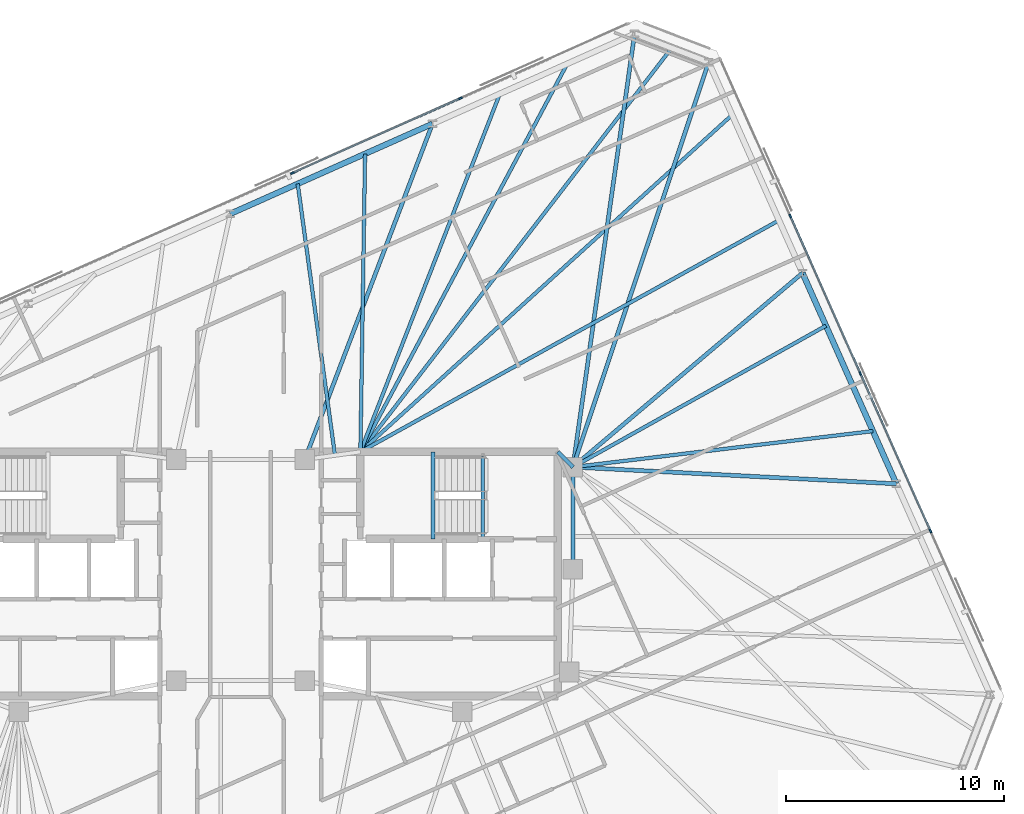
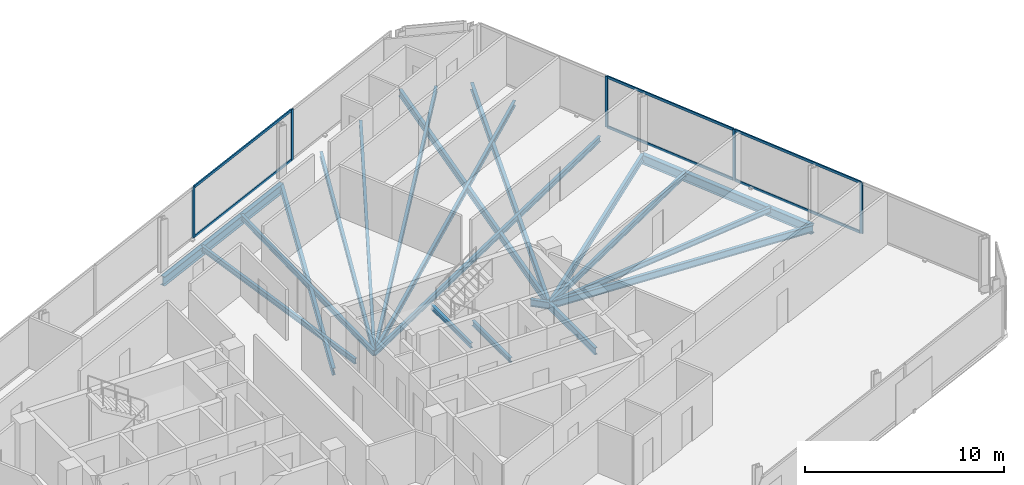
# One storey, part 10 of 18: 20 beams, 11 members, 2 elements without a shape of their own.
"""IFC4 building model written with IfcOpenShell, lengths in metres."""

from ifc_helpers import new_model, si_unit, direction, frame, origin, origin_2d, place, context, subcontext, project, spatial, rectangle, i_section, extrude, material, material_profile, profile_set, type_object, element, aggregate, save


model = new_model("IFC4")

# Units and contexts
model_context = context("Model", 3, precision=1e-05, world=origin(), true_north=direction((0.0, 1.0)))
body_context = subcontext(model_context, "Body", "Model", "MODEL_VIEW")
ifc_project = project(units=[si_unit("LENGTHUNIT", "METRE"), si_unit("AREAUNIT", "SQUARE_METRE"), si_unit("VOLUMEUNIT", "CUBIC_METRE"), si_unit("PLANEANGLEUNIT", "RADIAN"), si_unit("MASSUNIT", "GRAM", prefix="KILO")], contexts=[model_context])

# Site, building, storey
site_placement = place(None, origin())
site = spatial("IfcSite", under=ifc_project, at=site_placement, CompositionType="ELEMENT")
building_placement = place(site_placement, origin())
building = spatial("IfcBuilding", under=site, at=building_placement, Name="Menara Jurai Vektor", CompositionType="ELEMENT")
storey_placement = place(building_placement, frame((0.0, 0.0, 285.25)))
storey = spatial("IfcBuildingStorey", under=building, at=storey_placement, Name="L76", CompositionType="ELEMENT", Elevation=285.25)

# Curtain wall, members
ifc_material_1 = material(Name="Anodised Pale Aluminium & Low-E Double Glazing", Category="aluminium")
curtain_wall_type = type_object("IfcCurtainWallType", Name="CW-BLK5", PredefinedType="NOTDEFINED", material=ifc_material_1)
curtain_wall_1_placement = place(storey_placement, origin())
curtain_wall_1 = element("IfcCurtainWall", 1, at=curtain_wall_1_placement, inside=storey, type_object=curtain_wall_type, Name="Unitised Curtain Wall L76 F03", PredefinedType="NOTDEFINED")
ifc_material_2 = material(Name="Anodised Pale Aluminium Mullion", Category="aluminium")
ifc_material_profile_1 = material_profile(ifc_material_2, rectangle(XDim=0.074951171875, YDim=0.175048828125, at=origin_2d()), Name="ALU MUL 75x175")
ifc_profile_set_1 = profile_set([ifc_material_profile_1], Name="Anodised Pale Aluminium Mullion")
member_type_1 = type_object("IfcMemberType", Name="CW-BLK5-MUL", PredefinedType="MULLION", material=ifc_profile_set_1)
member_1_placement = place(storey_placement, frame((31.6533203125, 1.9658203125, 0.0), z_axis=(0.0, 0.0, 1.0), x_axis=(-0.913546127706, -0.406735138086, 0.0)))
member_1 = element("IfcMember", 2, at=member_1_placement, type_object=member_type_1, Name="CW-05 mullion 2", PredefinedType="MULLION", context=body_context, shape_type="SweptSolid", body=[
    extrude(rectangle(XDim=0.074951171875, YDim=0.175048828125, at=origin_2d()), origin(), (0.0, 0.0, 1.0), 3.125),
])
member_2_placement = place(storey_placement, frame((28.43603515625, 9.19189453125, 0.0), z_axis=(0.0, 0.0, 1.0), x_axis=(-0.913546127706, -0.406735138086, 0.0)))
member_2 = element("IfcMember", 3, at=member_2_placement, type_object=member_type_1, Name="CW-05 mullion 3", PredefinedType="MULLION", context=body_context, shape_type="SweptSolid", body=[
    extrude(rectangle(XDim=0.074951171875, YDim=0.175048828125, at=origin_2d()), origin(), (0.0, 0.0, 1.0), 3.125),
])
member_3_placement = place(storey_placement, frame((25.21875, 16.418212890625, 0.0), z_axis=(0.0, 0.0, 1.0), x_axis=(-0.913546127706, -0.406735138086, 0.0)))
member_3 = element("IfcMember", 4, at=member_3_placement, type_object=member_type_1, Name="CW-05 mullion 4", PredefinedType="MULLION", context=body_context, shape_type="SweptSolid", body=[
    extrude(rectangle(XDim=0.074951171875, YDim=0.175048828125, at=origin_2d()), origin(), (0.0, 0.0, 1.0), 3.125),
])

curtain_wall_2_placement = place(storey_placement, origin())
curtain_wall_2 = element("IfcCurtainWall", 5, at=curtain_wall_2_placement, inside=storey, type_object=curtain_wall_type, Name="Unitised Curtain Wall L76 F05", PredefinedType="NOTDEFINED")
member_4_placement = place(storey_placement, frame((10.0927734375, 21.822998046875, 0.0), z_axis=(0.0, 0.0, 1.0), x_axis=(0.406735498684, -0.913545967158, 0.0)))
member_4 = element("IfcMember", 6, at=member_4_placement, type_object=member_type_1, Name="CW-05 mullion 2", PredefinedType="MULLION", context=body_context, shape_type="SweptSolid", body=[
    extrude(rectangle(XDim=0.074951171875, YDim=0.175048828125, at=origin_2d()), origin(), (0.0, 0.0, 1.0), 3.125),
])
member_5_placement = place(storey_placement, frame((2.38232421875, 18.39013671875, 0.0), z_axis=(0.0, 0.0, 1.0), x_axis=(0.406735498684, -0.913545967158, 0.0)))
member_5 = element("IfcMember", 7, at=member_5_placement, type_object=member_type_1, Name="CW-05 mullion 3", PredefinedType="MULLION", context=body_context, shape_type="SweptSolid", body=[
    extrude(rectangle(XDim=0.074951171875, YDim=0.175048828125, at=origin_2d()), origin(), (0.0, 0.0, 1.0), 3.125),
])

# Member
ifc_material_3 = material(Name="Anodised Pale Aluminium Transom", Category="aluminium")
ifc_material_profile_2 = material_profile(ifc_material_3, rectangle(XDim=0.074951171875, YDim=0.155029296875, at=origin_2d()), Name="ALU TRN 75x155")
ifc_profile_set_2 = profile_set([ifc_material_profile_2], Name="Anodised Pale Aluminium Transom")
member_type_2 = type_object("IfcMemberType", Name="CW-BLK5-TRN", PredefinedType="USERDEFINED", material=ifc_profile_set_2)
member_6_placement = place(storey_placement, frame((31.63818359375, 2.0, 0.03759765625), z_axis=(-0.406731062496, 0.913547942256, 0.0), x_axis=(-0.913547942256, -0.406731062496, 0.0)))
member_6 = element("IfcMember", 8, at=member_6_placement, type_object=member_type_2, Name="CW-05 transom 2.1", ObjectType="TRANSOM", PredefinedType="USERDEFINED", context=body_context, shape_type="SweptSolid", body=[
    extrude(rectangle(XDim=0.074951171875, YDim=0.155029296875, at=origin_2d()), origin(), (0.0, 0.0, 1.0), 7.8349609375),
])

member_7_placement = place(storey_placement, frame((31.63818359375, 2.0, 3.08740234375), z_axis=(-0.406731062496, 0.913547942256, 0.0), x_axis=(-0.913547942256, -0.406731062496, 0.0)))
member_7 = element("IfcMember", 9, at=member_7_placement, type_object=member_type_2, Name="CW-05 transom 2.2", ObjectType="TRANSOM", PredefinedType="USERDEFINED", context=body_context, shape_type="SweptSolid", body=[
    extrude(rectangle(XDim=0.074951171875, YDim=0.155029296875, at=origin_2d()), origin(), (0.0, 0.0, 1.0), 7.8349609375),
])

member_8_placement = place(storey_placement, frame((28.4208984375, 9.226318359375, 0.03759765625), z_axis=(-0.40674264085, 0.913542787238, 0.0), x_axis=(-0.913542787238, -0.40674264085, 0.0)))
member_8 = element("IfcMember", 10, at=member_8_placement, type_object=member_type_2, Name="CW-05 transom 3.1", ObjectType="TRANSOM", PredefinedType="USERDEFINED", context=body_context, shape_type="SweptSolid", body=[
    extrude(rectangle(XDim=0.074951171875, YDim=0.155029296875, at=origin_2d()), origin(), (0.0, 0.0, 1.0), 7.8349609375),
])

member_9_placement = place(storey_placement, frame((28.4208984375, 9.226318359375, 3.08740234375), z_axis=(-0.40674264085, 0.913542787238, 0.0), x_axis=(-0.913542787238, -0.40674264085, 0.0)))
member_9 = element("IfcMember", 11, at=member_9_placement, type_object=member_type_2, Name="CW-05 transom 3.2", ObjectType="TRANSOM", PredefinedType="USERDEFINED", context=body_context, shape_type="SweptSolid", body=[
    extrude(rectangle(XDim=0.074951171875, YDim=0.155029296875, at=origin_2d()), origin(), (0.0, 0.0, 1.0), 7.8349609375),
])

aggregate(curtain_wall_1, [member_1, member_2, member_3, member_6, member_7, member_8, member_9])

member_10_placement = place(storey_placement, frame((10.058349609375, 21.807861328125, 0.03759765625), z_axis=(-0.913546575494, -0.406734132331, 0.0), x_axis=(0.406734132331, -0.913546575494, 0.0)))
member_10 = element("IfcMember", 12, at=member_10_placement, type_object=member_type_2, Name="CW-05 transom 2.1", ObjectType="TRANSOM", PredefinedType="USERDEFINED", context=body_context, shape_type="SweptSolid", body=[
    extrude(rectangle(XDim=0.074951171875, YDim=0.155029296875, at=origin_2d()), origin(), (0.0, 0.0, 1.0), 8.364990234375),
])

member_11_placement = place(storey_placement, frame((10.058349609375, 21.807861328125, 3.08740234375), z_axis=(-0.913546575494, -0.406734132331, 0.0), x_axis=(0.406734132331, -0.913546575494, 0.0)))
member_11 = element("IfcMember", 13, at=member_11_placement, type_object=member_type_2, Name="CW-05 transom 2.2", ObjectType="TRANSOM", PredefinedType="USERDEFINED", context=body_context, shape_type="SweptSolid", body=[
    extrude(rectangle(XDim=0.074951171875, YDim=0.155029296875, at=origin_2d()), origin(), (0.0, 0.0, 1.0), 8.364990234375),
])

aggregate(curtain_wall_2, [member_4, member_5, member_10, member_11])

# Beams
ifc_material_4 = material(Name="Steel S355", Category="steel")
ifc_material_profile_3 = material_profile(ifc_material_4, i_section(OverallWidth=0.18505859375, OverallDepth=0.429931640625, WebThickness=0.010986328125, FlangeThickness=0.01806640625, at=origin_2d()), Name="PG 430x185x76")
ifc_profile_set_3 = profile_set([ifc_material_profile_3], Name="Steel S355")
beam_type_1 = type_object("IfcBeamType", Name="STR-BM-430", PredefinedType="BEAM", material=ifc_profile_set_3)
beam_1_placement = place(storey_placement, frame((14.56005859375, 5.60009765625, -0.43994140625), z_axis=(0.701871936926, -0.712303154672, 0.0), x_axis=(0.712303154672, 0.701871936926, 0.0)))
element("IfcBeam", 14, at=beam_1_placement, inside=storey, type_object=beam_type_1, Name="Core Ring Header Girder L76-CHE-N2", PredefinedType="BEAM", context=body_context, shape_type="SweptSolid", body=[
    extrude(i_section(OverallWidth=0.18505859375, OverallDepth=0.429931640625, WebThickness=0.010986328125, FlangeThickness=0.01806640625, at=origin_2d()), origin(), (0.0, 0.0, 1.0), 0.98291015625),
])
beam_2_placement = place(storey_placement, frame((15.25, 0.219970703125, -0.43994140625), z_axis=(0.0, 1.0, 0.0), x_axis=(-1.0, 0.0, 0.0)))
element("IfcBeam", 15, at=beam_2_placement, inside=storey, type_object=beam_type_1, Name="Core Ring Header Girder L76-CHE-E1", PredefinedType="BEAM", context=body_context, shape_type="SweptSolid", body=[
    extrude(i_section(OverallWidth=0.18505859375, OverallDepth=0.429931640625, WebThickness=0.010986328125, FlangeThickness=0.01806640625, at=origin_2d()), origin(), (0.0, 0.0, 1.0), 4.679931640625),
])
beam_3_placement = place(storey_placement, frame((30.086181640625, 4.13330078125, -0.43994140625), z_axis=(-0.998667716832, 0.051602241782, 0.0), x_axis=(-0.051602241782, -0.998667716832, 0.0)))
element("IfcBeam", 16, at=beam_3_placement, inside=storey, type_object=beam_type_1, Name="Radial Floor Girder L76-E2", PredefinedType="BEAM", context=body_context, shape_type="SweptSolid", body=[
    extrude(i_section(OverallWidth=0.18505859375, OverallDepth=0.429931640625, WebThickness=0.010986328125, FlangeThickness=0.01806640625, at=origin_2d()), origin(), (0.0, 0.0, 1.0), 14.85595703125),
])
beam_4_placement = place(storey_placement, frame((25.781005859375, 13.80322265625, -0.43994140625), z_axis=(-0.763655500673, -0.6456239434, 0.0), x_axis=(0.6456239434, -0.763655500673, 0.0)))
element("IfcBeam", 17, at=beam_4_placement, inside=storey, type_object=beam_type_1, Name="Radial Floor Girder L76-E3", PredefinedType="BEAM", context=body_context, shape_type="SweptSolid", body=[
    extrude(i_section(OverallWidth=0.18505859375, OverallDepth=0.429931640625, WebThickness=0.010986328125, FlangeThickness=0.01806640625, at=origin_2d()), origin(), (0.0, 0.0, 1.0), 13.790283203125),
])
beam_5_placement = place(storey_placement, frame((21.4755859375, 23.473388671875, -0.43994140625), z_axis=(-0.317808893183, -0.948154790851, 0.0), x_axis=(0.948154790851, -0.317808893183, 0.0)))
element("IfcBeam", 18, at=beam_5_placement, inside=storey, type_object=beam_type_1, Name="Radial Floor Girder L76-E4", PredefinedType="BEAM", context=body_context, shape_type="SweptSolid", body=[
    extrude(i_section(OverallWidth=0.18505859375, OverallDepth=0.429931640625, WebThickness=0.010986328125, FlangeThickness=0.01806640625, at=origin_2d()), origin(), (0.0, 0.0, 1.0), 19.589111328125),
])
beam_6_placement = place(storey_placement, frame((18.07958984375, 24.777099609375, -0.43994140625), z_axis=(-0.140932755913, -0.990019170678, 0.0), x_axis=(0.990019170678, -0.140932755913, 0.0)))
element("IfcBeam", 19, at=beam_6_placement, inside=storey, type_object=beam_type_1, Name="Radial Floor Girder L76-N1", PredefinedType="BEAM", context=body_context, shape_type="SweptSolid", body=[
    extrude(i_section(OverallWidth=0.18505859375, OverallDepth=0.429931640625, WebThickness=0.010986328125, FlangeThickness=0.01806640625, at=origin_2d()), origin(), (0.0, 0.0, 1.0), 20.07763671875),
])
beam_7_placement = place(storey_placement, frame((8.805908203125, 20.648193359375, -0.43994140625), z_axis=(-0.355464051758, -0.934689952823, 0.0), x_axis=(0.934689952823, -0.355464051758, 0.0)))
element("IfcBeam", 20, at=beam_7_placement, inside=storey, type_object=beam_type_1, Name="Radial Floor Girder L76-N2", PredefinedType="BEAM", context=body_context, shape_type="SweptSolid", body=[
    extrude(i_section(OverallWidth=0.18505859375, OverallDepth=0.429931640625, WebThickness=0.010986328125, FlangeThickness=0.01806640625, at=origin_2d()), origin(), (0.0, 0.0, 1.0), 16.47412109375),
])
ifc_material_profile_4 = material_profile(ifc_material_4, i_section(OverallWidth=0.1650390625, OverallDepth=0.330078125, WebThickness=0.009033203125, FlangeThickness=0.013916015625, at=origin_2d()), Name="PG 330x165x46")
ifc_profile_set_4 = profile_set([ifc_material_profile_4], Name="Steel S355")
beam_type_2 = type_object("IfcBeamType", Name="STR-JS-330", PredefinedType="JOIST", material=ifc_profile_set_4)
beam_8_placement = place(storey_placement, frame((29.010009765625, 6.55078125, -0.389892578125), z_axis=(-0.992879589053, -0.119122296999, 0.0), x_axis=(0.119122296999, -0.992879589053, 0.0)))
element("IfcBeam", 21, at=beam_8_placement, inside=storey, type_object=beam_type_2, Name="Radial Secondary Floor Joist L76-JS10", PredefinedType="JOIST", context=body_context, shape_type="SweptSolid", body=[
    extrude(i_section(OverallWidth=0.1650390625, OverallDepth=0.330078125, WebThickness=0.009033203125, FlangeThickness=0.013916015625, at=origin_2d()), origin(), (0.0, 0.0, 1.0), 13.858642578125),
])
beam_9_placement = place(storey_placement, frame((26.857177734375, 11.3857421875, -0.389892578125), z_axis=(-0.872960269613, -0.487791315705, 0.0), x_axis=(0.487791315705, -0.872960269613, 0.0)))
element("IfcBeam", 22, at=beam_9_placement, inside=storey, type_object=beam_type_2, Name="Radial Secondary Floor Joist L76-JS11", PredefinedType="JOIST", context=body_context, shape_type="SweptSolid", body=[
    extrude(i_section(OverallWidth=0.1650390625, OverallDepth=0.330078125, WebThickness=0.009033203125, FlangeThickness=0.013916015625, at=origin_2d()), origin(), (0.0, 0.0, 1.0), 13.29638671875),
])
beam_10_placement = place(storey_placement, frame((24.70458984375, 16.220703125, -0.389892578125), z_axis=(-0.87509599458, -0.483949377797, 0.0), x_axis=(0.483949377797, -0.87509599458, 0.0)))
element("IfcBeam", 23, at=beam_10_placement, inside=storey, type_object=beam_type_2, Name="Radial Secondary Floor Joist L76-JS12", PredefinedType="JOIST", context=body_context, shape_type="SweptSolid", body=[
    extrude(i_section(OverallWidth=0.1650390625, OverallDepth=0.330078125, WebThickness=0.009033203125, FlangeThickness=0.013916015625, at=origin_2d()), origin(), (0.0, 0.0, 1.0), 21.94580078125),
])
beam_11_placement = place(storey_placement, frame((22.552001953125, 21.055908203125, -0.389892578125), z_axis=(-0.74093432875, -0.67157748658, 0.0), x_axis=(0.67157748658, -0.74093432875, 0.0)))
element("IfcBeam", 24, at=beam_11_placement, inside=storey, type_object=beam_type_2, Name="Radial Secondary Floor Joist L76-JS13", PredefinedType="JOIST", context=body_context, shape_type="SweptSolid", body=[
    extrude(i_section(OverallWidth=0.1650390625, OverallDepth=0.330078125, WebThickness=0.009033203125, FlangeThickness=0.013916015625, at=origin_2d()), origin(), (0.0, 0.0, 1.0), 23.01416015625),
])
beam_12_placement = place(storey_placement, frame((19.777587890625, 24.125244140625, -0.389892578125), z_axis=(-0.610448519134, -0.792055935832, 0.0), x_axis=(0.792055935832, -0.610448519134, 0.0)))
element("IfcBeam", 25, at=beam_12_placement, inside=storey, type_object=beam_type_2, Name="Radial Secondary Floor Joist L76-JS14", PredefinedType="JOIST", context=body_context, shape_type="SweptSolid", body=[
    extrude(i_section(OverallWidth=0.1650390625, OverallDepth=0.330078125, WebThickness=0.009033203125, FlangeThickness=0.013916015625, at=origin_2d()), origin(), (0.0, 0.0, 1.0), 23.388671875),
])
beam_13_placement = place(storey_placement, frame((14.98828125, 23.400634765625, -0.389892578125), z_axis=(-0.470382173413, -0.882462809945, 0.0), x_axis=(0.882462809945, -0.470382173413, 0.0)))
element("IfcBeam", 26, at=beam_13_placement, inside=storey, type_object=beam_type_2, Name="Radial Secondary Floor Joist L76-JS15", PredefinedType="JOIST", context=body_context, shape_type="SweptSolid", body=[
    extrude(i_section(OverallWidth=0.1650390625, OverallDepth=0.330078125, WebThickness=0.009033203125, FlangeThickness=0.013916015625, at=origin_2d()), origin(), (0.0, 0.0, 1.0), 20.17138671875),
])
beam_14_placement = place(storey_placement, frame((11.897216796875, 22.0244140625, -0.389892578125), z_axis=(-0.36293816309, -0.931813226872, 0.0), x_axis=(0.931813226872, -0.36293816309, 0.0)))
element("IfcBeam", 27, at=beam_14_placement, inside=storey, type_object=beam_type_2, Name="Radial Secondary Floor Joist L76-JS16", PredefinedType="JOIST", context=body_context, shape_type="SweptSolid", body=[
    extrude(i_section(OverallWidth=0.1650390625, OverallDepth=0.330078125, WebThickness=0.009033203125, FlangeThickness=0.013916015625, at=origin_2d()), origin(), (0.0, 0.0, 1.0), 17.626220703125),
])
beam_15_placement = place(storey_placement, frame((5.71484375, 19.27197265625, -0.389892578125), z_axis=(-0.01571234584, -0.999876553475, 0.0), x_axis=(0.999876553475, -0.01571234584, 0.0)))
element("IfcBeam", 28, at=beam_15_placement, inside=storey, type_object=beam_type_2, Name="Radial Secondary Floor Joist L76-JS17", PredefinedType="JOIST", context=body_context, shape_type="SweptSolid", body=[
    extrude(i_section(OverallWidth=0.1650390625, OverallDepth=0.330078125, WebThickness=0.009033203125, FlangeThickness=0.013916015625, at=origin_2d()), origin(), (0.0, 0.0, 1.0), 13.673583984375),
])
beam_16_placement = place(storey_placement, frame((2.62353515625, 17.8955078125, -0.389892578125), z_axis=(0.13599011119, -0.990710194587, 0.0), x_axis=(0.990710194587, 0.13599011119, 0.0)))
element("IfcBeam", 29, at=beam_16_placement, inside=storey, type_object=beam_type_2, Name="Radial Secondary Floor Joist L76-JS18", PredefinedType="JOIST", context=body_context, shape_type="SweptSolid", body=[
    extrude(i_section(OverallWidth=0.1650390625, OverallDepth=0.330078125, WebThickness=0.009033203125, FlangeThickness=0.013916015625, at=origin_2d()), origin(), (0.0, 0.0, 1.0), 12.572265625),
])
ifc_material_profile_5 = material_profile(ifc_material_4, i_section(OverallWidth=0.1650390625, OverallDepth=0.302978515625, WebThickness=0.006103515625, FlangeThickness=0.010009765625, FilletRadius=0.009033203125, at=origin_2d()), Name="UKB 305x165x40")
ifc_profile_set_5 = profile_set([ifc_material_profile_5], Name="Steel S355")
beam_type_3 = type_object("IfcBeamType", Name="STR-LN-305", PredefinedType="LINTEL", material=ifc_profile_set_5)
beam_17_placement = place(storey_placement, frame((11.1201171875, 1.60009765625, -0.37646484375), z_axis=(0.0, 1.0, 0.0), x_axis=(-1.0, 0.0, 0.0)))
element("IfcBeam", 30, at=beam_17_placement, inside=storey, type_object=beam_type_3, Name="Stair Well Floor Trimmer ST2 L76", PredefinedType="LINTEL", context=body_context, shape_type="SweptSolid", body=[
    extrude(i_section(OverallWidth=0.1650390625, OverallDepth=0.302978515625, WebThickness=0.006103515625, FlangeThickness=0.010009765625, FilletRadius=0.009033203125, at=origin_2d()), origin(), (0.0, 0.0, 1.0), 3.81982421875),
])
beam_18_placement = place(storey_placement, frame((8.830078125, 1.60009765625, 1.323486328125), z_axis=(0.0, 1.0, 0.0), x_axis=(-1.0, 0.0, 0.0)))
element("IfcBeam", 31, at=beam_18_placement, inside=storey, type_object=beam_type_3, Name="Stair Half-Landing Nosing Trimmer ST2-1 L76", PredefinedType="LINTEL", context=body_context, shape_type="SweptSolid", body=[
    extrude(i_section(OverallWidth=0.1650390625, OverallDepth=0.302978515625, WebThickness=0.006103515625, FlangeThickness=0.010009765625, FilletRadius=0.009033203125, at=origin_2d()), origin(), (0.0, 0.0, 1.0), 4.0),
])
ifc_material_profile_6 = material_profile(ifc_material_4, i_section(OverallWidth=0.260009765625, OverallDepth=0.570068359375, WebThickness=0.013916015625, FlangeThickness=0.02392578125, at=origin_2d()), Name="PG 570x260x145")
ifc_profile_set_6 = profile_set([ifc_material_profile_6], Name="Steel S355")
beam_type_4 = type_object("IfcBeamType", Name="STR-SP-570", PredefinedType="SPANDREL", material=ifc_profile_set_6)
beam_19_placement = place(storey_placement, frame((30.086181640625, 4.13330078125, -0.510009765625), z_axis=(-0.406724751578, 0.913550751986, 0.0), x_axis=(-0.913550751986, -0.406724751578, 0.0)))
element("IfcBeam", 32, at=beam_19_placement, inside=storey, type_object=beam_type_4, Name="Exoskeleton Spandrel Beam L76-08", PredefinedType="SPANDREL", context=body_context, shape_type="SweptSolid", body=[
    extrude(i_section(OverallWidth=0.260009765625, OverallDepth=0.570068359375, WebThickness=0.013916015625, FlangeThickness=0.02392578125, at=origin_2d()), origin(), (0.0, 0.0, 1.0), 10.5849609375),
])
beam_20_placement = place(storey_placement, frame((8.805908203125, 20.648193359375, -0.510009765625), z_axis=(-0.913541582548, -0.406745346568, 0.0), x_axis=(0.406745346568, -0.913541582548, 0.0)))
element("IfcBeam", 33, at=beam_20_placement, inside=storey, type_object=beam_type_4, Name="Exoskeleton Spandrel Beam L76-12", PredefinedType="SPANDREL", context=body_context, shape_type="SweptSolid", body=[
    extrude(i_section(OverallWidth=0.260009765625, OverallDepth=0.570068359375, WebThickness=0.013916015625, FlangeThickness=0.02392578125, at=origin_2d()), origin(), (0.0, 0.0, 1.0), 10.151123046875),
])

save(model, "model.ifc")
